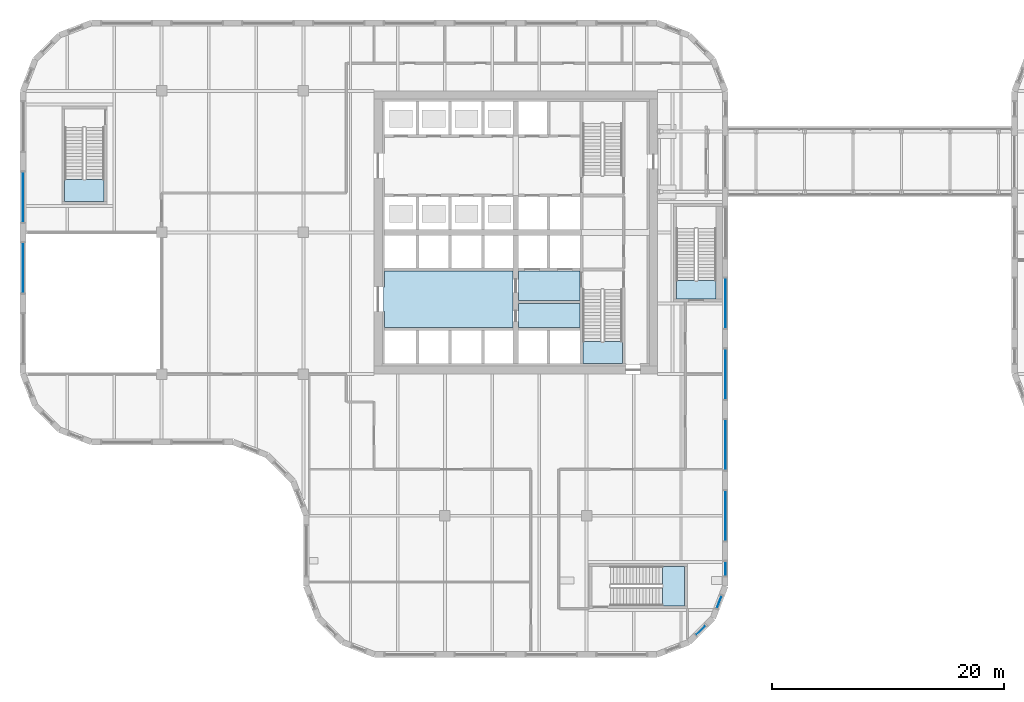
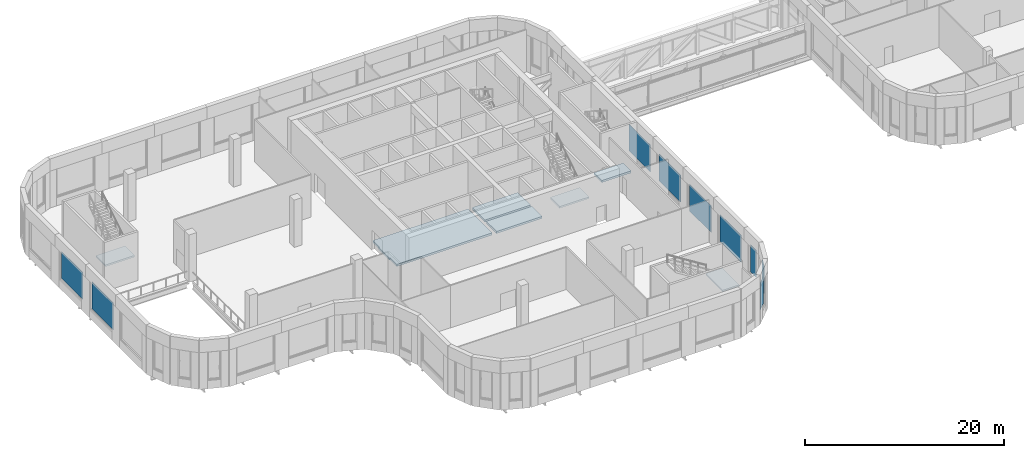
# One storey, part 16 of 36: 9 plates, 7 slabs, 12 elements without a shape of their own.
"""IFC4 building model written with IfcOpenShell, lengths in metres."""

from ifc_helpers import new_model, si_unit, direction, frame, origin, origin_2d, place, context, subcontext, project, spatial, polyline, rectangle, outline, extrude, material, layer, layer_set, type_object, element, aggregate, save


model = new_model("IFC4")

# Units and contexts
model_context = context("Model", 3, precision=1e-05, world=origin(), true_north=direction((0.0, 1.0)))
body_context = subcontext(model_context, "Body", "Model", "MODEL_VIEW")
ifc_project = project(units=[si_unit("LENGTHUNIT", "METRE"), si_unit("AREAUNIT", "SQUARE_METRE"), si_unit("VOLUMEUNIT", "CUBIC_METRE"), si_unit("PLANEANGLEUNIT", "RADIAN"), si_unit("MASSUNIT", "GRAM", prefix="KILO")], contexts=[model_context])

# Site, building, storey
site_placement = place(None, origin())
site = spatial("IfcSite", under=ifc_project, at=site_placement, CompositionType="ELEMENT")
building_placement = place(site_placement, origin())
building = spatial("IfcBuilding", under=site, at=building_placement, Name="Tessera Gate Towers", CompositionType="ELEMENT")
storey_placement = place(building_placement, frame((0.0, 0.0, 106.60009765625)))
storey = spatial("IfcBuildingStorey", under=building, at=storey_placement, Name="L26", CompositionType="ELEMENT", Elevation=106.60009765625)

# Slabs
ifc_material_1 = material(Name="Concrete C35/45", Category="concrete")
ifc_layer_1 = layer(ifc_material_1, 0.25)
ifc_layer_set_1 = layer_set([ifc_layer_1], Name="CORE FLOOR SLAB 250")
slab_type_1 = type_object("IfcSlabType", Name="CORE FLOOR SLAB 250", PredefinedType="FLOOR", material=ifc_layer_set_1)
slab_1_placement = place(storey_placement, frame((0.0, 0.0, -0.25)))
element("IfcSlab", 1, at=slab_1_placement, inside=storey, type_object=slab_type_1, Name="L26 core floor slab", PredefinedType="FLOOR", context=body_context, shape_type="SweptSolid", body=[
    extrude(outline(polyline([(31.39990234375, 33.27490234375), (31.39990234375, 31.89990234375), (31.300048828125, 31.89990234375), (31.300048828125, 29.800048828125), (31.39990234375, 29.800048828125), (31.39990234375, 28.425048828125), (42.449951171875, 28.425048828125), (42.449951171875, 33.27490234375), (31.39990234375, 33.27490234375)])), origin(), (0.0, 0.0, 1.0), 0.25),
])
slab_2_placement = place(storey_placement, frame((0.0, 0.0, -0.25)))
element("IfcSlab", 2, at=slab_2_placement, inside=storey, type_object=slab_type_1, Name="L26 core floor slab", PredefinedType="FLOOR", context=body_context, shape_type="SweptSolid", body=[
    extrude(outline(polyline([(42.949951171875, 33.27490234375), (42.949951171875, 30.72509765625), (48.22509765625, 30.72509765625), (48.22509765625, 33.27490234375), (42.949951171875, 33.27490234375)])), origin(), (0.0, 0.0, 1.0), 0.25),
])
slab_3_placement = place(storey_placement, frame((0.0, 0.0, -0.25)))
element("IfcSlab", 3, at=slab_3_placement, inside=storey, type_object=slab_type_1, Name="L26 core floor slab", PredefinedType="FLOOR", context=body_context, shape_type="SweptSolid", body=[
    extrude(outline(polyline([(42.949951171875, 30.47509765625), (42.949951171875, 28.425048828125), (48.22509765625, 28.425048828125), (48.22509765625, 30.47509765625), (42.949951171875, 30.47509765625)])), origin(), (0.0, 0.0, 1.0), 0.25),
])
slab_4_placement = place(storey_placement, frame((0.0, 0.0, -0.25)))
element("IfcSlab", 4, at=slab_4_placement, inside=storey, type_object=slab_type_1, Name="L26 ST5 floor landing", PredefinedType="FLOOR", context=body_context, shape_type="SweptSolid", body=[
    extrude(outline(polyline([(59.949951171875, 30.85009765625), (59.949951171875, 32.449951171875), (56.550048828125, 32.449951171875), (56.550048828125, 30.85009765625), (59.949951171875, 30.85009765625)])), origin(), (0.0, 0.0, 1.0), 0.25),
])

# Stair, slab
ifc_material_2 = material(Name="Concrete C40/50", Category="concrete")
stair_type_1 = type_object("IfcStairType", Name="EXIT STAIR ST1C 1600", PredefinedType="HALF_TURN_STAIR", material=ifc_material_2)
stair_1_placement = place(storey_placement, origin())
stair_1 = element("IfcStair", 5, at=stair_1_placement, inside=storey, type_object=stair_type_1, Name="L26 Protected Exit Stair ST1", PredefinedType="HALF_TURN_STAIR")
ifc_material_3 = material(Name="Concrete C40/50", Category="concrete")
ifc_layer_2 = layer(ifc_material_3, 0.199951171875)
ifc_layer_set_2 = layer_set([ifc_layer_2], Name="EXIT STAIR LANDING 200")
slab_type_2 = type_object("IfcSlabType", Name="EXIT STAIR LANDING 200", PredefinedType="LANDING", material=ifc_layer_set_2)
slab_5_placement = place(storey_placement, frame((0.0, 0.0, 2.7998046875)))
slab_5 = element("IfcSlab", 6, at=slab_5_placement, type_object=slab_type_2, Name="ST1 landing 1", PredefinedType="LANDING", context=body_context, shape_type="SweptSolid", body=[
    extrude(outline(polyline([(48.47509765625, 27.195068359375), (48.47509765625, 25.300048828125), (51.875, 25.300048828125), (51.875, 27.195068359375), (48.47509765625, 27.195068359375)])), origin(), (0.0, 0.0, 1.0), 0.2001953125),
])
aggregate(stair_1, [slab_5])

ifc_material_4 = material(Name="Concrete C40/50", Category="concrete")
stair_type_2 = type_object("IfcStairType", Name="EXIT STAIR ST3E 1600", PredefinedType="HALF_TURN_STAIR", material=ifc_material_4)
stair_2_placement = place(storey_placement, origin())
stair_2 = element("IfcStair", 7, at=stair_2_placement, inside=storey, type_object=stair_type_2, Name="L26 West Exit Stair ST3", PredefinedType="HALF_TURN_STAIR")
slab_6_placement = place(storey_placement, frame((0.0, 0.0, 2.7998046875)))
slab_6 = element("IfcSlab", 8, at=slab_6_placement, type_object=slab_type_2, Name="ST3 landing 1", PredefinedType="LANDING", context=body_context, shape_type="SweptSolid", body=[
    extrude(outline(polyline([(3.85009765625, 41.169921875), (3.85009765625, 39.25), (7.25, 39.25), (7.25, 41.169921875), (3.85009765625, 41.169921875)])), origin(), (0.0, 0.0, 1.0), 0.2001953125),
])
aggregate(stair_2, [slab_6])

ifc_material_5 = material(Name="Concrete C40/50", Category="concrete")
stair_type_3 = type_object("IfcStairType", Name="EXIT STAIR ST4E 1600", PredefinedType="HALF_TURN_STAIR", material=ifc_material_5)
stair_3_placement = place(storey_placement, origin())
stair_3 = element("IfcStair", 9, at=stair_3_placement, inside=storey, type_object=stair_type_3, Name="L26 South Exit Stair ST4", PredefinedType="HALF_TURN_STAIR")
slab_7_placement = place(storey_placement, frame((0.0, 0.0, 2.7998046875)))
slab_7 = element("IfcSlab", 10, at=slab_7_placement, type_object=slab_type_2, Name="ST4 landing 1", PredefinedType="LANDING", context=body_context, shape_type="SweptSolid", body=[
    extrude(outline(polyline([(55.330078125, 4.449951171875), (57.25, 4.449951171875), (57.25, 7.85009765625), (55.330078125, 7.85009765625), (55.330078125, 4.449951171875)])), origin(), (0.0, 0.0, 1.0), 0.2001953125),
])
aggregate(stair_3, [slab_7])

# Curtain wall, plate
ifc_material_6 = material(Name="Aluminium frame", Category="aluminium")
curtain_wall_type = type_object("IfcCurtainWallType", Name="CW-S3 amenity floor glazing", PredefinedType="NOTDEFINED", material=ifc_material_6)
curtain_wall_1_placement = place(storey_placement, origin())
curtain_wall_1 = element("IfcCurtainWall", 11, at=curtain_wall_1_placement, inside=storey, type_object=curtain_wall_type, Name="Curtain wall amenity floor glazing 0006", PredefinedType="NOTDEFINED")
ifc_material_7 = material(Name="Low-e laminated glass", Category="glass")
ifc_layer_3 = layer(ifc_material_7, 0.035888671875)
ifc_layer_set_3 = layer_set([ifc_layer_3], Name="PN-S3 glass panel 36")
plate_type = type_object("IfcPlateType", Name="PN-S3 glass panel 36", PredefinedType="CURTAIN_PANEL", material=ifc_layer_set_3)
plate_1_placement = place(storey_placement, frame((58.647216796875, 2.352783203125, 1.10009765625), z_axis=(0.0, 0.0, 1.0), x_axis=(0.707106781187, 0.707106781187, 0.0)))
plate_1 = element("IfcPlate", 12, at=plate_1_placement, type_object=plate_type, Name="T1-CW3-0006 panel 1.1", PredefinedType="CURTAIN_PANEL", context=body_context, shape_type="SweptSolid", body=[
    extrude(rectangle(XDim=1.14404296875, YDim=0.035888671875, at=origin_2d()), origin(), (0.0, 0.0, 1.0), 3.300048828125),
])
aggregate(curtain_wall_1, [plate_1])

curtain_wall_2_placement = place(storey_placement, origin())
curtain_wall_2 = element("IfcCurtainWall", 13, at=curtain_wall_2_placement, inside=storey, type_object=curtain_wall_type, Name="Curtain wall amenity floor glazing 0007", PredefinedType="NOTDEFINED")
plate_2_placement = place(storey_placement, frame((60.218994140625, 4.77001953125, 1.10009765625), z_axis=(0.0, 0.0, 1.0), x_axis=(0.359904070394, 0.932989314041, 0.0)))
plate_2 = element("IfcPlate", 14, at=plate_2_placement, type_object=plate_type, Name="T1-CW3-0007 panel 1.1", PredefinedType="CURTAIN_PANEL", context=body_context, shape_type="SweptSolid", body=[
    extrude(rectangle(XDim=1.150634765625, YDim=0.035888671875, at=origin_2d()), origin(), (0.0, 0.0, 1.0), 3.300048828125),
])
aggregate(curtain_wall_2, [plate_2])

curtain_wall_3_placement = place(storey_placement, origin())
curtain_wall_3 = element("IfcCurtainWall", 15, at=curtain_wall_3_placement, inside=storey, type_object=curtain_wall_type, Name="Curtain wall amenity floor glazing 0008", PredefinedType="NOTDEFINED")
plate_3_placement = place(storey_placement, frame((60.75, 7.648193359375, 1.10009765625), z_axis=(0.0, 0.0, 1.0), x_axis=(0.0, 1.0, 0.0)))
plate_3 = element("IfcPlate", 16, at=plate_3_placement, type_object=plate_type, Name="T1-CW3-0008 panel 1.1", PredefinedType="CURTAIN_PANEL", context=body_context, shape_type="SweptSolid", body=[
    extrude(rectangle(XDim=1.203369140625, YDim=0.035888671875, at=origin_2d()), origin(), (0.0, 0.0, 1.0), 3.300048828125),
])
aggregate(curtain_wall_3, [plate_3])

curtain_wall_4_placement = place(storey_placement, origin())
curtain_wall_4 = element("IfcCurtainWall", 17, at=curtain_wall_4_placement, inside=storey, type_object=curtain_wall_type, Name="Curtain wall amenity floor glazing 0009", PredefinedType="NOTDEFINED")
plate_4_placement = place(storey_placement, frame((60.75, 12.199951171875, 1.10009765625), z_axis=(0.0, 0.0, 1.0), x_axis=(0.0, 1.0, 0.0)))
plate_4 = element("IfcPlate", 18, at=plate_4_placement, type_object=plate_type, Name="T1-CW3-0009 panel 1.1", PredefinedType="CURTAIN_PANEL", context=body_context, shape_type="SweptSolid", body=[
    extrude(rectangle(XDim=4.300048828125, YDim=0.035888671875, at=origin_2d()), origin(), (0.0, 0.0, 1.0), 3.300048828125),
])
aggregate(curtain_wall_4, [plate_4])

curtain_wall_5_placement = place(storey_placement, origin())
curtain_wall_5 = element("IfcCurtainWall", 19, at=curtain_wall_5_placement, inside=storey, type_object=curtain_wall_type, Name="Curtain wall amenity floor glazing 0010", PredefinedType="NOTDEFINED")
plate_5_placement = place(storey_placement, frame((60.75, 18.300048828125, 1.10009765625), z_axis=(0.0, 0.0, 1.0), x_axis=(0.0, 1.0, 0.0)))
plate_5 = element("IfcPlate", 20, at=plate_5_placement, type_object=plate_type, Name="T1-CW3-0010 panel 1.1", PredefinedType="CURTAIN_PANEL", context=body_context, shape_type="SweptSolid", body=[
    extrude(rectangle(XDim=4.300048828125, YDim=0.035888671875, at=origin_2d()), origin(), (0.0, 0.0, 1.0), 3.300048828125),
])
aggregate(curtain_wall_5, [plate_5])

curtain_wall_6_placement = place(storey_placement, origin())
curtain_wall_6 = element("IfcCurtainWall", 21, at=curtain_wall_6_placement, inside=storey, type_object=curtain_wall_type, Name="Curtain wall amenity floor glazing 0011", PredefinedType="NOTDEFINED")
plate_6_placement = place(storey_placement, frame((60.75, 24.39990234375, 1.10009765625), z_axis=(0.0, 0.0, 1.0), x_axis=(0.0, 1.0, 0.0)))
plate_6 = element("IfcPlate", 22, at=plate_6_placement, type_object=plate_type, Name="T1-CW3-0011 panel 1.1", PredefinedType="CURTAIN_PANEL", context=body_context, shape_type="SweptSolid", body=[
    extrude(rectangle(XDim=4.300048828125, YDim=0.035888671875, at=origin_2d()), origin(), (0.0, 0.0, 1.0), 3.300048828125),
])
aggregate(curtain_wall_6, [plate_6])

curtain_wall_7_placement = place(storey_placement, origin())
curtain_wall_7 = element("IfcCurtainWall", 23, at=curtain_wall_7_placement, inside=storey, type_object=curtain_wall_type, Name="Curtain wall amenity floor glazing 0012", PredefinedType="NOTDEFINED")
plate_7_placement = place(storey_placement, frame((60.75, 30.5, 1.10009765625), z_axis=(0.0, 0.0, 1.0), x_axis=(0.0, 1.0, 0.0)))
plate_7 = element("IfcPlate", 24, at=plate_7_placement, type_object=plate_type, Name="T1-CW3-0012 panel 1.1", PredefinedType="CURTAIN_PANEL", context=body_context, shape_type="SweptSolid", body=[
    extrude(rectangle(XDim=4.300048828125, YDim=0.035888671875, at=origin_2d()), origin(), (0.0, 0.0, 1.0), 3.300048828125),
])
aggregate(curtain_wall_7, [plate_7])

curtain_wall_8_placement = place(storey_placement, origin())
curtain_wall_8 = element("IfcCurtainWall", 25, at=curtain_wall_8_placement, inside=storey, type_object=curtain_wall_type, Name="Curtain wall amenity floor glazing 0030", PredefinedType="NOTDEFINED")
plate_8_placement = place(storey_placement, frame((0.25, 39.64990234375, 1.10009765625), z_axis=(0.0, 0.0, 1.0), x_axis=(0.0, -1.0, 0.0)))
plate_8 = element("IfcPlate", 26, at=plate_8_placement, type_object=plate_type, Name="T1-CW3-0030 panel 1.1", PredefinedType="CURTAIN_PANEL", context=body_context, shape_type="SweptSolid", body=[
    extrude(rectangle(XDim=4.300048828125, YDim=0.035888671875, at=origin_2d()), origin(), (0.0, 0.0, 1.0), 3.300048828125),
])
aggregate(curtain_wall_8, [plate_8])

curtain_wall_9_placement = place(storey_placement, origin())
curtain_wall_9 = element("IfcCurtainWall", 27, at=curtain_wall_9_placement, inside=storey, type_object=curtain_wall_type, Name="Curtain wall amenity floor glazing 0031", PredefinedType="NOTDEFINED")
plate_9_placement = place(storey_placement, frame((0.25, 33.550048828125, 1.10009765625), z_axis=(0.0, 0.0, 1.0), x_axis=(0.0, -1.0, 0.0)))
plate_9 = element("IfcPlate", 28, at=plate_9_placement, type_object=plate_type, Name="T1-CW3-0031 panel 1.1", PredefinedType="CURTAIN_PANEL", context=body_context, shape_type="SweptSolid", body=[
    extrude(rectangle(XDim=4.300048828125, YDim=0.035888671875, at=origin_2d()), origin(), (0.0, 0.0, 1.0), 3.300048828125),
])
aggregate(curtain_wall_9, [plate_9])

save(model, "model.ifc")
